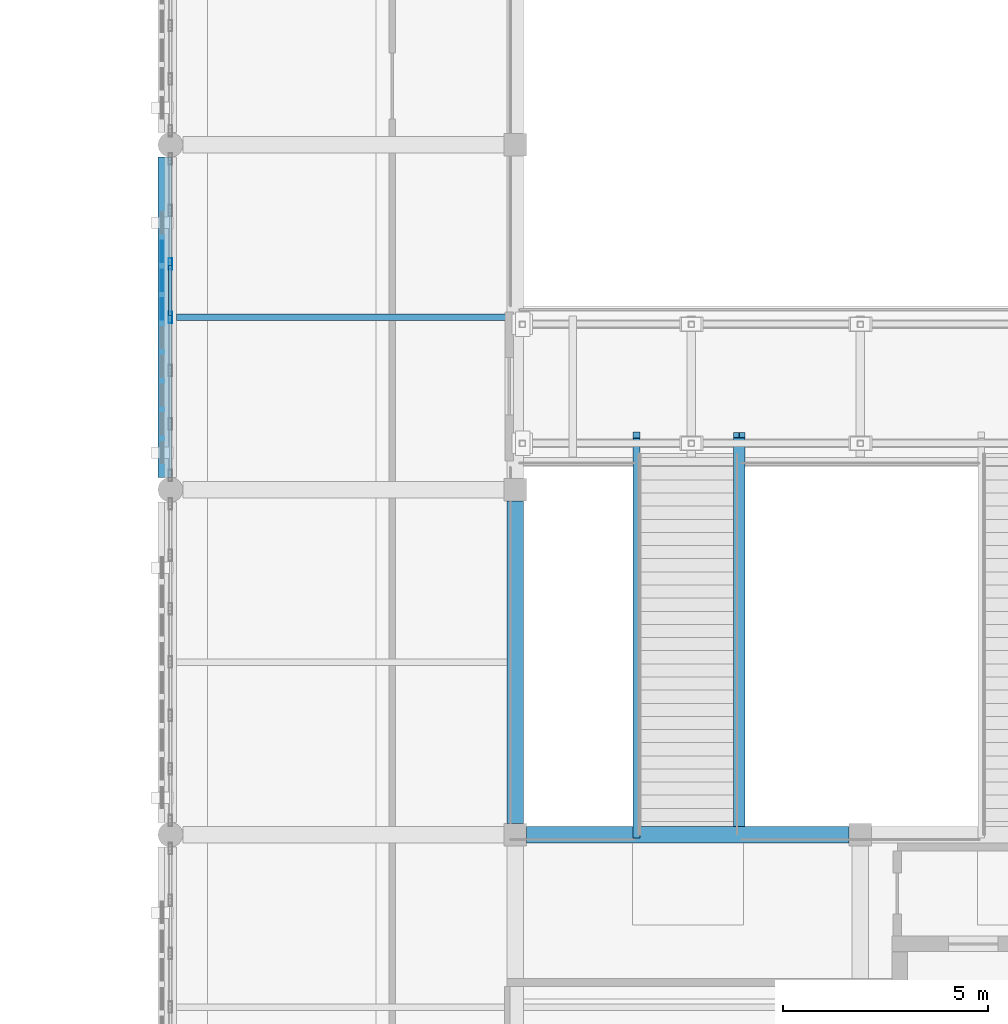
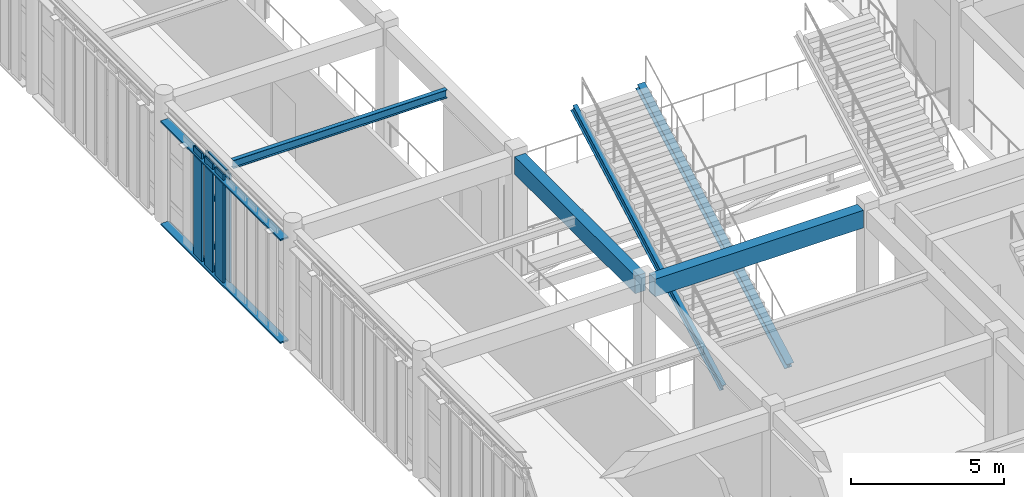
# One storey, part 18 of 93: 13 members, 3 beams, 1 element without a shape of its own.
"""IFC4 building model written with IfcOpenShell, lengths in metres."""

from ifc_helpers import new_model, si_unit, direction, frame, origin, origin_2d, place, context, subcontext, project, spatial, rectangle, hollow_rectangle, i_section, extrude, material, layer, layer_set, material_profile, profile_set, type_object, element, aggregate, save


model = new_model("IFC4")

# Units and contexts
model_context = context("Model", 3, precision=1e-05, world=origin(), true_north=direction((0.0, 1.0)))
body_context = subcontext(model_context, "Body", "Model", "MODEL_VIEW")
ifc_project = project(units=[si_unit("LENGTHUNIT", "METRE"), si_unit("AREAUNIT", "SQUARE_METRE"), si_unit("VOLUMEUNIT", "CUBIC_METRE"), si_unit("PLANEANGLEUNIT", "RADIAN"), si_unit("MASSUNIT", "GRAM", prefix="KILO")], contexts=[model_context])

# Site, building, storey
site_placement = place(None, origin())
site = spatial("IfcSite", under=ifc_project, at=site_placement, CompositionType="ELEMENT")
building_placement = place(site_placement, origin())
building = spatial("IfcBuilding", under=site, at=building_placement, Name="Krzemoval Escarpment Law Courts", CompositionType="ELEMENT")
storey_placement = place(building_placement, frame((0.0, 0.0, 10.199951171875)))
storey = spatial("IfcBuildingStorey", under=building, at=storey_placement, Name="L02", CompositionType="ELEMENT", Elevation=10.199951171875)

# Beams
ifc_material_1 = material(Name="Concrete C40/50", Category="concrete")
ifc_material_profile_1 = material_profile(ifc_material_1, rectangle(XDim=0.39990234375, YDim=0.699951171875, at=origin_2d()), Name="RCB 400x700")
ifc_profile_set_1 = profile_set([ifc_material_profile_1], Name="Concrete C40/50")
beam_type_1 = type_object("IfcBeamType", Name="BM-RC-400x700", PredefinedType="BEAM", material=ifc_profile_set_1)
beam_1_placement = place(storey_placement, frame((17.074951171875, 49.199951171875, 4.469970703125), z_axis=(1.0, 0.0, 0.0), x_axis=(0.0, 1.0, 0.0)))
element("IfcBeam", 1, at=beam_1_placement, inside=storey, type_object=beam_type_1, Name="Beam FG-L02-1789", PredefinedType="BEAM", context=body_context, shape_type="SweptSolid", body=[
    extrude(rectangle(XDim=0.39990234375, YDim=0.699951171875, at=origin_2d()), origin(), (0.0, 0.0, 1.0), 7.85009765625),
])
beam_2_placement = place(storey_placement, frame((16.800048828125, 49.47509765625, 4.469970703125), z_axis=(0.0, 1.0, 0.0), x_axis=(-1.0, 0.0, 0.0)))
element("IfcBeam", 2, at=beam_2_placement, inside=storey, type_object=beam_type_1, Name="Beam FG-L02-1873", PredefinedType="BEAM", context=body_context, shape_type="SweptSolid", body=[
    extrude(rectangle(XDim=0.39990234375, YDim=0.699951171875, at=origin_2d()), origin(), (0.0, 0.0, 1.0), 7.849853515625),
])

# Curtain wall, members
ifc_material_2 = material(Name="Aluminium 6063-T6", Category="aluminium")
ifc_layer = layer(ifc_material_2, 0.280029296875)
ifc_layer_set = layer_set([ifc_layer], Name="Aluminium 6063-T6")
curtain_wall_type = type_object("IfcCurtainWallType", Name="CW-HALL-5100", PredefinedType="USERDEFINED", material=ifc_layer_set)
curtain_wall_placement = place(storey_placement, origin())
curtain_wall = element("IfcCurtainWall", 3, at=curtain_wall_placement, inside=storey, type_object=curtain_wall_type, Name="Unitised Curtain Wall FCW-L02-067", ObjectType="UNITISED_CURTAIN_WALL", PredefinedType="USERDEFINED")
ifc_material_3 = material(Name="Aluminium 6063-T6", Category="aluminium")
ifc_material_profile_2 = material_profile(ifc_material_3, hollow_rectangle(XDim=0.0849609375, YDim=0.280029296875, WallThickness=0.005615234375, at=origin_2d()), Name="ALU M85x280")
ifc_profile_set_2 = profile_set([ifc_material_profile_2], Name="Aluminium 6063-T6")
member_type_1 = type_object("IfcMemberType", Name="CWM-85x280", PredefinedType="MULLION", material=ifc_profile_set_2)
member_1_placement = place(storey_placement, frame((8.39990234375, 61.800048828125, 0.0), z_axis=(0.0, 0.0, 1.0), x_axis=(-1.0, 0.0, 0.0)))
member_1 = element("IfcMember", 4, at=member_1_placement, type_object=member_type_1, Name="FCW-L02-067 mullion 4", PredefinedType="MULLION", context=body_context, shape_type="SweptSolid", body=[
    extrude(hollow_rectangle(XDim=0.0849609375, YDim=0.280029296875, WallThickness=0.005615234375, at=origin_2d()), origin(), (0.0, 0.0, 1.0), 4.3701171875),
])
member_2_placement = place(storey_placement, frame((8.39990234375, 63.10009765625, 0.0), z_axis=(0.0, 0.0, 1.0), x_axis=(-1.0, 0.0, 0.0)))
member_2 = element("IfcMember", 5, at=member_2_placement, type_object=member_type_1, Name="FCW-L02-067 mullion 5", PredefinedType="MULLION", context=body_context, shape_type="SweptSolid", body=[
    extrude(hollow_rectangle(XDim=0.0849609375, YDim=0.280029296875, WallThickness=0.005615234375, at=origin_2d()), origin(), (0.0, 0.0, 1.0), 4.3701171875),
])
ifc_material_4 = material(Name="Aluminium 6063-T6", Category="aluminium")
ifc_material_profile_3 = material_profile(ifc_material_4, hollow_rectangle(XDim=0.0849609375, YDim=0.2099609375, WallThickness=0.005615234375, at=origin_2d()), Name="ALU T85x210")
ifc_profile_set_3 = profile_set([ifc_material_profile_3], Name="Aluminium 6063-T6")
member_type_2 = type_object("IfcMemberType", Name="CWT-85x210", PredefinedType="USERDEFINED", material=ifc_profile_set_3)
member_3_placement = place(storey_placement, frame((8.39990234375, 61.842529296875, 0.04248046875), z_axis=(0.0, 1.0, 0.0), x_axis=(-1.0, 0.0, 0.0)))
member_3 = element("IfcMember", 6, at=member_3_placement, type_object=member_type_2, Name="FCW-L02-067 transom 4.1", ObjectType="TRANSOM", PredefinedType="USERDEFINED", context=body_context, shape_type="SweptSolid", body=[
    extrude(hollow_rectangle(XDim=0.0849609375, YDim=0.2099609375, WallThickness=0.005615234375, at=origin_2d()), origin(), (0.0, 0.0, 1.0), 1.215087890625),
])
member_4_placement = place(storey_placement, frame((8.39990234375, 61.842529296875, 0.900146484375), z_axis=(0.0, 1.0, 0.0), x_axis=(-1.0, 0.0, 0.0)))
member_4 = element("IfcMember", 7, at=member_4_placement, type_object=member_type_2, Name="FCW-L02-067 transom 4.2", ObjectType="TRANSOM", PredefinedType="USERDEFINED", context=body_context, shape_type="SweptSolid", body=[
    extrude(hollow_rectangle(XDim=0.0849609375, YDim=0.2099609375, WallThickness=0.005615234375, at=origin_2d()), origin(), (0.0, 0.0, 1.0), 1.215087890625),
])
member_5_placement = place(storey_placement, frame((8.39990234375, 61.842529296875, 2.800048828125), z_axis=(0.0, 1.0, 0.0), x_axis=(-1.0, 0.0, 0.0)))
member_5 = element("IfcMember", 8, at=member_5_placement, type_object=member_type_2, Name="FCW-L02-067 transom 4.3", ObjectType="TRANSOM", PredefinedType="USERDEFINED", context=body_context, shape_type="SweptSolid", body=[
    extrude(hollow_rectangle(XDim=0.0849609375, YDim=0.2099609375, WallThickness=0.005615234375, at=origin_2d()), origin(), (0.0, 0.0, 1.0), 1.215087890625),
])
member_6_placement = place(storey_placement, frame((8.39990234375, 61.842529296875, 4.32763671875), z_axis=(0.0, 1.0, 0.0), x_axis=(-1.0, 0.0, 0.0)))
member_6 = element("IfcMember", 9, at=member_6_placement, type_object=member_type_2, Name="FCW-L02-067 transom 4.4", ObjectType="TRANSOM", PredefinedType="USERDEFINED", context=body_context, shape_type="SweptSolid", body=[
    extrude(hollow_rectangle(XDim=0.0849609375, YDim=0.2099609375, WallThickness=0.005615234375, at=origin_2d()), origin(), (0.0, 0.0, 1.0), 1.215087890625),
])
aggregate(curtain_wall, [member_1, member_2, member_3, member_4, member_5, member_6])

# Beam
ifc_material_5 = material(Name="Steel S355", Category="steel")
ifc_material_profile_4 = material_profile(ifc_material_5, i_section(OverallWidth=0.159912109375, OverallDepth=0.330078125, WebThickness=0.007568359375, FlangeThickness=0.011474609375, at=origin_2d()), Name="IPE 330")
ifc_profile_set_4 = profile_set([ifc_material_profile_4], Name="Steel S355")
beam_type_2 = type_object("IfcBeamType", Name="JST-S355-IPE330", PredefinedType="JOIST", material=ifc_profile_set_4)
beam_3_placement = place(storey_placement, frame((8.550048828125, 61.800048828125, 4.655029296875), z_axis=(1.0, 0.0, 0.0), x_axis=(0.0, 1.0, 0.0)))
element("IfcBeam", 10, at=beam_3_placement, inside=storey, type_object=beam_type_2, Name="Secondary Joist FJ-L02-2014", PredefinedType="JOIST", context=body_context, shape_type="SweptSolid", body=[
    extrude(i_section(OverallWidth=0.159912109375, OverallDepth=0.330078125, WebThickness=0.007568359375, FlangeThickness=0.011474609375, at=origin_2d()), origin(), (0.0, 0.0, 1.0), 8.050048828125),
])

# Members
ifc_material_6 = material(Name="Anodised Aluminium Alloy 6063-T6", Category="aluminium")
ifc_material_profile_5 = material_profile(ifc_material_6, hollow_rectangle(XDim=0.06005859375, YDim=0.320068359375, WallThickness=0.00390625, at=origin_2d()), Name="ALU LVR 60x320")
ifc_profile_set_5 = profile_set([ifc_material_profile_5], Name="Anodised Aluminium Alloy 6063-T6")
member_type_3 = type_object("IfcMemberType", Name="LVR-ALU-320", PredefinedType="USERDEFINED", material=ifc_profile_set_5)
for number, where, z_axis, x_axis, name in (
    (11, (8.260009765625, 57.89990234375, 0.030029296875), (0.0, 1.0, 0.0), (0.0, 0.0, 1.0), "Sunshade Support Rail FSR-L02-0396"),
    (12, (8.260009765625, 57.89990234375, 4.1201171875), (0.0, 1.0, 0.0), (0.0, 0.0, 1.0), "Sunshade Support Rail FSR-L02-0397"),
):
    element("IfcMember", number, at=place(storey_placement, frame(where, z_axis=z_axis, x_axis=x_axis)), inside=storey, type_object=member_type_3, Name=name, ObjectType="SUNSHADE_LOUVRE", PredefinedType="USERDEFINED", context=body_context, shape_type="SweptSolid", body=[
        extrude(hollow_rectangle(XDim=0.06005859375, YDim=0.320068359375, WallThickness=0.00390625, at=origin_2d()), origin(), (0.0, 0.0, 1.0), 7.800048828125),
    ])
ifc_material_7 = material(Name="Anodised Aluminium Alloy 6063-T6", Category="aluminium")
ifc_material_profile_6 = material_profile(ifc_material_7, hollow_rectangle(XDim=0.06494140625, YDim=0.52001953125, WallThickness=0.00439453125, at=origin_2d()), Name="ALU LVR 65x520")
ifc_profile_set_6 = profile_set([ifc_material_profile_6], Name="Anodised Aluminium Alloy 6063-T6")
member_type_4 = type_object("IfcMemberType", Name="LVR-ALU-520", PredefinedType="USERDEFINED", material=ifc_profile_set_6)
for number, where, z_axis, x_axis, name in (
    (13, (8.199951171875, 62.0, 0.06005859375), (0.0, 0.0, 1.0), (1.0, 0.0, 0.0), "Sunshade Louvre Fin FLV-L02-0403"),
    (14, (8.199951171875, 62.699951171875, 0.06005859375), (0.0, 0.0, 1.0), (1.0, 0.0, 0.0), "Sunshade Louvre Fin FLV-L02-0404"),
    (15, (8.199951171875, 63.39990234375, 0.06005859375), (0.0, 0.0, 1.0), (1.0, 0.0, 0.0), "Sunshade Louvre Fin FLV-L02-0405"),
):
    element("IfcMember", number, at=place(storey_placement, frame(where, z_axis=z_axis, x_axis=x_axis)), inside=storey, type_object=member_type_4, Name=name, ObjectType="SUNSHADE_LOUVRE", PredefinedType="USERDEFINED", context=body_context, shape_type="SweptSolid", body=[
        extrude(hollow_rectangle(XDim=0.06494140625, YDim=0.52001953125, WallThickness=0.00439453125, at=origin_2d()), origin(), (0.0, 0.0, 1.0), 4.31005859375),
    ])
ifc_material_8 = material(Name="Steel S355", Category="steel")
ifc_material_profile_7 = material_profile(ifc_material_8, i_section(OverallWidth=0.280029296875, OverallDepth=0.280029296875, WebThickness=0.010498046875, FlangeThickness=0.01806640625, at=origin_2d()), Name="HEB 280")
ifc_profile_set_7 = profile_set([ifc_material_profile_7], Name="Steel S355")
member_type_5 = type_object("IfcMemberType", Name="MBR-STG-HEB280", PredefinedType="STRINGER", material=ifc_profile_set_7)
member_7_placement = place(storey_placement, frame((22.25, 49.199951171875, -0.550048828125), z_axis=(0.0, 0.879306595946, 0.476256139411), x_axis=(-1.0, 0.0, 0.0)))
element("IfcMember", 16, at=member_7_placement, inside=storey, type_object=member_type_5, Name="Stair Stringer STG-0278", PredefinedType="STRINGER", context=body_context, shape_type="SweptSolid", body=[
    extrude(i_section(OverallWidth=0.280029296875, OverallDepth=0.280029296875, WebThickness=0.010498046875, FlangeThickness=0.01806640625, at=origin_2d()), origin(), (0.0, 0.0, 1.0), 11.0654296875),
])
ifc_material_9 = material(Name="Steel S355", Category="steel")
ifc_material_profile_8 = material_profile(ifc_material_9, i_section(OverallWidth=0.159912109375, OverallDepth=0.330078125, WebThickness=0.007568359375, FlangeThickness=0.011474609375, at=origin_2d()), Name="IPE 330")
ifc_profile_set_8 = profile_set([ifc_material_profile_8], Name="Steel S355")
member_type_6 = type_object("IfcMemberType", Name="MBR-STG-IPE330", PredefinedType="STRINGER", material=ifc_profile_set_8)
member_8_placement = place(storey_placement, frame((19.75, 49.199951171875, -0.550048828125), z_axis=(0.0, 0.879306595946, 0.476256139411), x_axis=(-1.0, 0.0, 0.0)))
element("IfcMember", 17, at=member_8_placement, inside=storey, type_object=member_type_6, Name="Stair Stringer STG-0277", PredefinedType="STRINGER", context=body_context, shape_type="SweptSolid", body=[
    extrude(i_section(OverallWidth=0.159912109375, OverallDepth=0.330078125, WebThickness=0.007568359375, FlangeThickness=0.011474609375, at=origin_2d()), origin(), (0.0, 0.0, 1.0), 11.0654296875),
])

save(model, "model.ifc")
